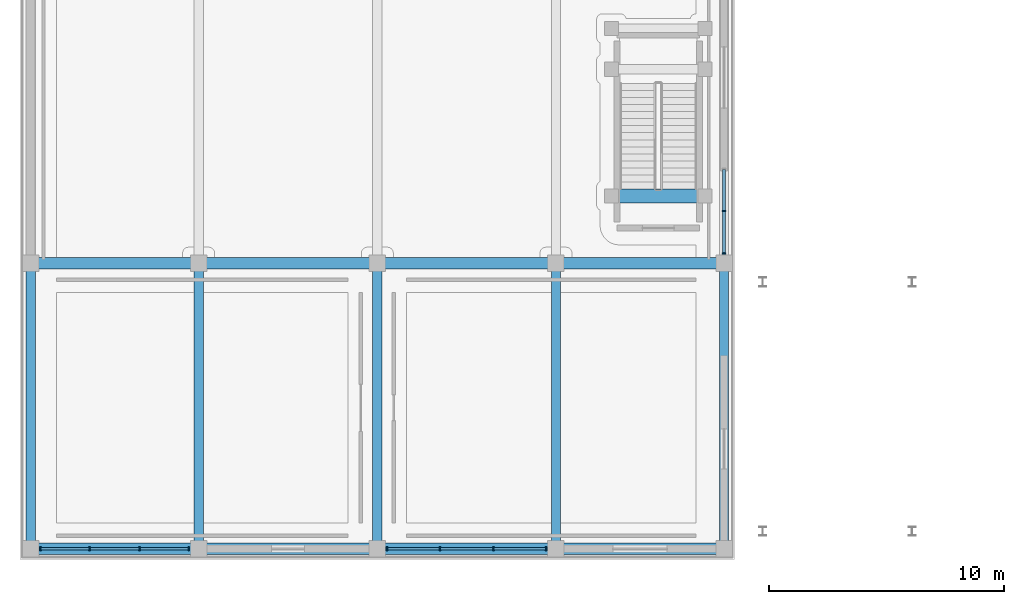
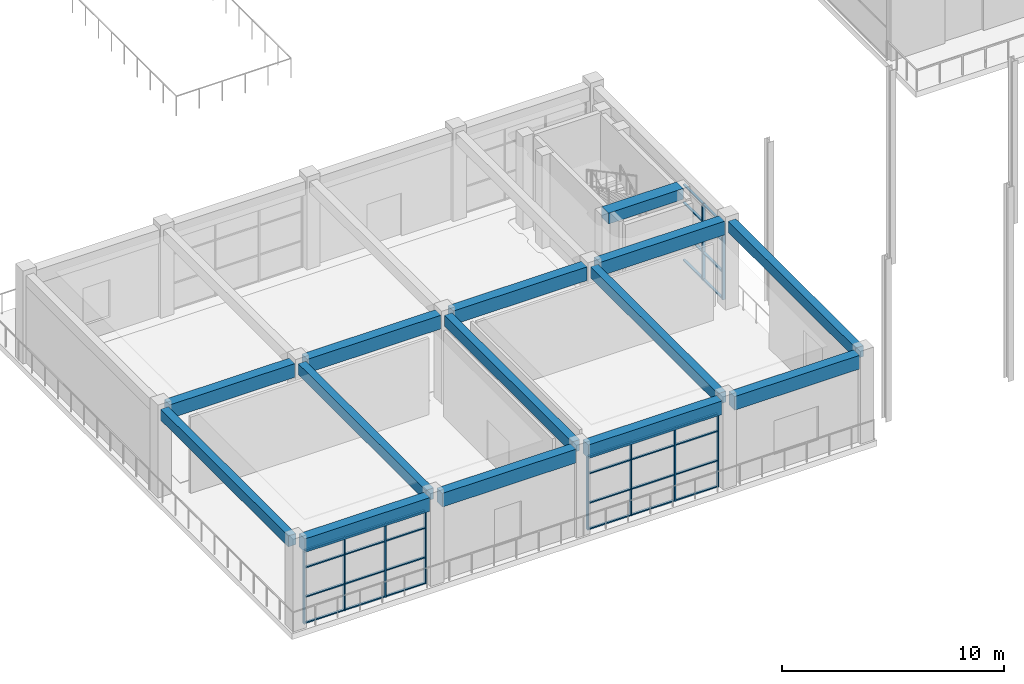
# One storey, part 19 of 99: 42 members, 14 beams, 3 elements without a shape of their own.
"""IFC4 building model written with IfcOpenShell, lengths in metres."""

from ifc_helpers import new_model, si_unit, direction, frame, origin, origin_2d, place, context, subcontext, project, spatial, rectangle, extrude, material, material_profile, profile_set, type_object, element, aggregate, save


model = new_model("IFC4")

# Units and contexts
model_context = context("Model", 3, precision=1e-05, world=origin(), true_north=direction((0.0, 1.0)))
body_context = subcontext(model_context, "Body", "Model", "MODEL_VIEW")
ifc_project = project(units=[si_unit("LENGTHUNIT", "METRE"), si_unit("AREAUNIT", "SQUARE_METRE"), si_unit("VOLUMEUNIT", "CUBIC_METRE"), si_unit("PLANEANGLEUNIT", "RADIAN"), si_unit("MASSUNIT", "GRAM", prefix="KILO")], contexts=[model_context])

# Site, building, storey
site_placement = place(None, origin())
site = spatial("IfcSite", under=ifc_project, at=site_placement, CompositionType="ELEMENT")
building_placement = place(site_placement, origin())
building = spatial("IfcBuilding", under=site, at=building_placement, Name="Saryqyr Civic Hall", CompositionType="ELEMENT")
storey_placement = place(building_placement, origin())
storey = spatial("IfcBuildingStorey", under=building, at=storey_placement, Name="L00", CompositionType="ELEMENT", Elevation=0.0)

# Curtain wall, members
ifc_material_1 = material(Name="Anodised aluminium and triple low-E glass", Category="aluminium")
curtain_wall_type_1 = type_object("IfcCurtainWallType", Name="ENV-CW-STD-59", PredefinedType="NOTDEFINED", material=ifc_material_1)
curtain_wall_1_placement = place(storey_placement, origin())
curtain_wall_1 = element("IfcCurtainWall", 1, at=curtain_wall_1_placement, inside=storey, type_object=curtain_wall_type_1, Name="Curtain wall V7W-CW-L00-0-1", PredefinedType="NOTDEFINED")
ifc_material_2 = material(Name="Anodised aluminium", Category="aluminium")
ifc_material_profile_1 = material_profile(ifc_material_2, rectangle(XDim=0.06005859375, YDim=0.159912109375, at=origin_2d()), Name="ALU MULLION 60x160")
ifc_profile_set_1 = profile_set([ifc_material_profile_1], Name="Anodised aluminium")
member_type_1 = type_object("IfcMemberType", Name="ENV-CW-MUL-180", PredefinedType="MULLION", material=ifc_profile_set_1)
member_1_placement = place(storey_placement, frame((22.3798828125, 0.449951171875, 0.0), z_axis=(0.0, 0.0, 1.0), x_axis=(-1.0, 0.0, 0.0)))
member_1 = element("IfcMember", 2, at=member_1_placement, type_object=member_type_1, Name="CW-59 mullion 1", PredefinedType="MULLION", context=body_context, shape_type="SweptSolid", body=[
    extrude(rectangle(XDim=0.06005859375, YDim=0.159912109375, at=origin_2d()), origin(), (0.0, 0.0, 1.0), 4.044921875),
])
member_2_placement = place(storey_placement, frame((20.13671875, 0.449951171875, 0.0), z_axis=(0.0, 0.0, 1.0), x_axis=(-1.0, 0.0, 0.0)))
member_2 = element("IfcMember", 3, at=member_2_placement, type_object=member_type_1, Name="CW-59 mullion 2", PredefinedType="MULLION", context=body_context, shape_type="SweptSolid", body=[
    extrude(rectangle(XDim=0.06005859375, YDim=0.159912109375, at=origin_2d()), origin(), (0.0, 0.0, 1.0), 4.044921875),
])
member_3_placement = place(storey_placement, frame((17.86328125, 0.449951171875, 0.0), z_axis=(0.0, 0.0, 1.0), x_axis=(-1.0, 0.0, 0.0)))
member_3 = element("IfcMember", 4, at=member_3_placement, type_object=member_type_1, Name="CW-59 mullion 3", PredefinedType="MULLION", context=body_context, shape_type="SweptSolid", body=[
    extrude(rectangle(XDim=0.06005859375, YDim=0.159912109375, at=origin_2d()), origin(), (0.0, 0.0, 1.0), 4.044921875),
])
member_4_placement = place(storey_placement, frame((15.6201171875, 0.449951171875, 0.0), z_axis=(0.0, 0.0, 1.0), x_axis=(-1.0, 0.0, 0.0)))
member_4 = element("IfcMember", 5, at=member_4_placement, type_object=member_type_1, Name="CW-59 mullion 4", PredefinedType="MULLION", context=body_context, shape_type="SweptSolid", body=[
    extrude(rectangle(XDim=0.06005859375, YDim=0.159912109375, at=origin_2d()), origin(), (0.0, 0.0, 1.0), 4.044921875),
])

curtain_wall_type_2 = type_object("IfcCurtainWallType", Name="ENV-CW-STD-60", PredefinedType="NOTDEFINED", material=ifc_material_1)
curtain_wall_2_placement = place(storey_placement, origin())
curtain_wall_2 = element("IfcCurtainWall", 6, at=curtain_wall_2_placement, inside=storey, type_object=curtain_wall_type_2, Name="Curtain wall V7W-CW-L00-0-3", PredefinedType="NOTDEFINED")
member_5_placement = place(storey_placement, frame((7.179931640625, 0.449951171875, 0.0), z_axis=(0.0, 0.0, 1.0), x_axis=(-1.0, 0.0, 0.0)))
member_5 = element("IfcMember", 7, at=member_5_placement, type_object=member_type_1, Name="CW-60 mullion 1", PredefinedType="MULLION", context=body_context, shape_type="SweptSolid", body=[
    extrude(rectangle(XDim=0.06005859375, YDim=0.159912109375, at=origin_2d()), origin(), (0.0, 0.0, 1.0), 4.044921875),
])
member_6_placement = place(storey_placement, frame((5.086669921875, 0.449951171875, 0.0), z_axis=(0.0, 0.0, 1.0), x_axis=(-1.0, 0.0, 0.0)))
member_6 = element("IfcMember", 8, at=member_6_placement, type_object=member_type_1, Name="CW-60 mullion 2", PredefinedType="MULLION", context=body_context, shape_type="SweptSolid", body=[
    extrude(rectangle(XDim=0.06005859375, YDim=0.159912109375, at=origin_2d()), origin(), (0.0, 0.0, 1.0), 4.044921875),
])
member_7_placement = place(storey_placement, frame((2.96337890625, 0.449951171875, 0.0), z_axis=(0.0, 0.0, 1.0), x_axis=(-1.0, 0.0, 0.0)))
member_7 = element("IfcMember", 9, at=member_7_placement, type_object=member_type_1, Name="CW-60 mullion 3", PredefinedType="MULLION", context=body_context, shape_type="SweptSolid", body=[
    extrude(rectangle(XDim=0.06005859375, YDim=0.159912109375, at=origin_2d()), origin(), (0.0, 0.0, 1.0), 4.044921875),
])
member_8_placement = place(storey_placement, frame((0.8701171875, 0.449951171875, 0.0), z_axis=(0.0, 0.0, 1.0), x_axis=(-1.0, 0.0, 0.0)))
member_8 = element("IfcMember", 10, at=member_8_placement, type_object=member_type_1, Name="CW-60 mullion 4", PredefinedType="MULLION", context=body_context, shape_type="SweptSolid", body=[
    extrude(rectangle(XDim=0.06005859375, YDim=0.159912109375, at=origin_2d()), origin(), (0.0, 0.0, 1.0), 4.044921875),
])

curtain_wall_type_3 = type_object("IfcCurtainWallType", Name="ENV-CW-STD-09", PredefinedType="NOTDEFINED", material=ifc_material_1)
curtain_wall_3_placement = place(storey_placement, origin())
curtain_wall_3 = element("IfcCurtainWall", 11, at=curtain_wall_3_placement, inside=storey, type_object=curtain_wall_type_3, Name="Curtain wall V7W-CW-L00-1-1", PredefinedType="NOTDEFINED")
member_9_placement = place(storey_placement, frame((29.949951171875, 14.820068359375, 0.0), z_axis=(0.0, 0.0, 1.0), x_axis=(0.0, -1.0, 0.0)))
member_9 = element("IfcMember", 12, at=member_9_placement, type_object=member_type_1, Name="CW-09 mullion 2", PredefinedType="MULLION", context=body_context, shape_type="SweptSolid", body=[
    extrude(rectangle(XDim=0.06005859375, YDim=0.159912109375, at=origin_2d()), origin(), (0.0, 0.0, 1.0), 4.195068359375),
])
member_10_placement = place(storey_placement, frame((29.949951171875, 13.02001953125, 0.0), z_axis=(0.0, 0.0, 1.0), x_axis=(0.0, -1.0, 0.0)))
member_10 = element("IfcMember", 13, at=member_10_placement, type_object=member_type_1, Name="CW-09 mullion 3", PredefinedType="MULLION", context=body_context, shape_type="SweptSolid", body=[
    extrude(rectangle(XDim=0.06005859375, YDim=0.159912109375, at=origin_2d()), origin(), (0.0, 0.0, 1.0), 4.195068359375),
])

# Member
ifc_material_profile_2 = material_profile(ifc_material_2, rectangle(XDim=0.1201171875, YDim=0.06005859375, at=origin_2d()), Name="ALU TRANSOM 120x60")
ifc_profile_set_2 = profile_set([ifc_material_profile_2], Name="Anodised aluminium")
member_type_2 = type_object("IfcMemberType", Name="ENV-CW-TRN-150", PredefinedType="USERDEFINED", material=ifc_profile_set_2)
member_11_placement = place(storey_placement, frame((22.35009765625, 0.449951171875, 0.030029296875), z_axis=(-1.0, 0.0, 0.0), x_axis=(0.0, -1.0, 0.0)))
member_11 = element("IfcMember", 14, at=member_11_placement, type_object=member_type_2, Name="CW-59 transom 1.1", ObjectType="TRANSOM", PredefinedType="USERDEFINED", context=body_context, shape_type="SweptSolid", body=[
    extrude(rectangle(XDim=0.1201171875, YDim=0.06005859375, at=origin_2d()), origin(), (0.0, 0.0, 1.0), 2.183349609375),
])

member_12_placement = place(storey_placement, frame((22.35009765625, 0.449951171875, 1.4560546875), z_axis=(-1.0, 0.0, 0.0), x_axis=(0.0, -1.0, 0.0)))
member_12 = element("IfcMember", 15, at=member_12_placement, type_object=member_type_2, Name="CW-59 transom 1.2", ObjectType="TRANSOM", PredefinedType="USERDEFINED", context=body_context, shape_type="SweptSolid", body=[
    extrude(rectangle(XDim=0.1201171875, YDim=0.06005859375, at=origin_2d()), origin(), (0.0, 0.0, 1.0), 2.183349609375),
])

member_13_placement = place(storey_placement, frame((22.35009765625, 0.449951171875, 3.073974609375), z_axis=(-1.0, 0.0, 0.0), x_axis=(0.0, -1.0, 0.0)))
member_13 = element("IfcMember", 16, at=member_13_placement, type_object=member_type_2, Name="CW-59 transom 1.3", ObjectType="TRANSOM", PredefinedType="USERDEFINED", context=body_context, shape_type="SweptSolid", body=[
    extrude(rectangle(XDim=0.1201171875, YDim=0.06005859375, at=origin_2d()), origin(), (0.0, 0.0, 1.0), 2.183349609375),
])

member_14_placement = place(storey_placement, frame((22.35009765625, 0.449951171875, 4.014892578125), z_axis=(-1.0, 0.0, 0.0), x_axis=(0.0, -1.0, 0.0)))
member_14 = element("IfcMember", 17, at=member_14_placement, type_object=member_type_2, Name="CW-59 transom 1.4", ObjectType="TRANSOM", PredefinedType="USERDEFINED", context=body_context, shape_type="SweptSolid", body=[
    extrude(rectangle(XDim=0.1201171875, YDim=0.06005859375, at=origin_2d()), origin(), (0.0, 0.0, 1.0), 2.183349609375),
])

member_15_placement = place(storey_placement, frame((20.106689453125, 0.449951171875, 0.030029296875), z_axis=(-1.0, 0.0, 0.0), x_axis=(0.0, -1.0, 0.0)))
member_15 = element("IfcMember", 18, at=member_15_placement, type_object=member_type_2, Name="CW-59 transom 2.1", ObjectType="TRANSOM", PredefinedType="USERDEFINED", context=body_context, shape_type="SweptSolid", body=[
    extrude(rectangle(XDim=0.1201171875, YDim=0.06005859375, at=origin_2d()), origin(), (0.0, 0.0, 1.0), 2.21337890625),
])

member_16_placement = place(storey_placement, frame((20.106689453125, 0.449951171875, 1.4560546875), z_axis=(-1.0, 0.0, 0.0), x_axis=(0.0, -1.0, 0.0)))
member_16 = element("IfcMember", 19, at=member_16_placement, type_object=member_type_2, Name="CW-59 transom 2.2", ObjectType="TRANSOM", PredefinedType="USERDEFINED", context=body_context, shape_type="SweptSolid", body=[
    extrude(rectangle(XDim=0.1201171875, YDim=0.06005859375, at=origin_2d()), origin(), (0.0, 0.0, 1.0), 2.21337890625),
])

member_17_placement = place(storey_placement, frame((20.106689453125, 0.449951171875, 3.073974609375), z_axis=(-1.0, 0.0, 0.0), x_axis=(0.0, -1.0, 0.0)))
member_17 = element("IfcMember", 20, at=member_17_placement, type_object=member_type_2, Name="CW-59 transom 2.3", ObjectType="TRANSOM", PredefinedType="USERDEFINED", context=body_context, shape_type="SweptSolid", body=[
    extrude(rectangle(XDim=0.1201171875, YDim=0.06005859375, at=origin_2d()), origin(), (0.0, 0.0, 1.0), 2.21337890625),
])

member_18_placement = place(storey_placement, frame((20.106689453125, 0.449951171875, 4.014892578125), z_axis=(-1.0, 0.0, 0.0), x_axis=(0.0, -1.0, 0.0)))
member_18 = element("IfcMember", 21, at=member_18_placement, type_object=member_type_2, Name="CW-59 transom 2.4", ObjectType="TRANSOM", PredefinedType="USERDEFINED", context=body_context, shape_type="SweptSolid", body=[
    extrude(rectangle(XDim=0.1201171875, YDim=0.06005859375, at=origin_2d()), origin(), (0.0, 0.0, 1.0), 2.21337890625),
])

member_19_placement = place(storey_placement, frame((17.833251953125, 0.449951171875, 0.030029296875), z_axis=(-1.0, 0.0, 0.0), x_axis=(0.0, -1.0, 0.0)))
member_19 = element("IfcMember", 22, at=member_19_placement, type_object=member_type_2, Name="CW-59 transom 3.1", ObjectType="TRANSOM", PredefinedType="USERDEFINED", context=body_context, shape_type="SweptSolid", body=[
    extrude(rectangle(XDim=0.1201171875, YDim=0.06005859375, at=origin_2d()), origin(), (0.0, 0.0, 1.0), 2.183349609375),
])

member_20_placement = place(storey_placement, frame((17.833251953125, 0.449951171875, 1.4560546875), z_axis=(-1.0, 0.0, 0.0), x_axis=(0.0, -1.0, 0.0)))
member_20 = element("IfcMember", 23, at=member_20_placement, type_object=member_type_2, Name="CW-59 transom 3.2", ObjectType="TRANSOM", PredefinedType="USERDEFINED", context=body_context, shape_type="SweptSolid", body=[
    extrude(rectangle(XDim=0.1201171875, YDim=0.06005859375, at=origin_2d()), origin(), (0.0, 0.0, 1.0), 2.183349609375),
])

member_21_placement = place(storey_placement, frame((17.833251953125, 0.449951171875, 3.073974609375), z_axis=(-1.0, 0.0, 0.0), x_axis=(0.0, -1.0, 0.0)))
member_21 = element("IfcMember", 24, at=member_21_placement, type_object=member_type_2, Name="CW-59 transom 3.3", ObjectType="TRANSOM", PredefinedType="USERDEFINED", context=body_context, shape_type="SweptSolid", body=[
    extrude(rectangle(XDim=0.1201171875, YDim=0.06005859375, at=origin_2d()), origin(), (0.0, 0.0, 1.0), 2.183349609375),
])

member_22_placement = place(storey_placement, frame((17.833251953125, 0.449951171875, 4.014892578125), z_axis=(-1.0, 0.0, 0.0), x_axis=(0.0, -1.0, 0.0)))
member_22 = element("IfcMember", 25, at=member_22_placement, type_object=member_type_2, Name="CW-59 transom 3.4", ObjectType="TRANSOM", PredefinedType="USERDEFINED", context=body_context, shape_type="SweptSolid", body=[
    extrude(rectangle(XDim=0.1201171875, YDim=0.06005859375, at=origin_2d()), origin(), (0.0, 0.0, 1.0), 2.183349609375),
])

aggregate(curtain_wall_1, [member_1, member_2, member_3, member_4, member_11, member_12, member_13, member_14, member_15, member_16, member_17, member_18, member_19, member_20, member_21, member_22])

member_23_placement = place(storey_placement, frame((7.14990234375, 0.449951171875, 0.030029296875), z_axis=(-1.0, 0.0, 0.0), x_axis=(0.0, -1.0, 0.0)))
member_23 = element("IfcMember", 26, at=member_23_placement, type_object=member_type_2, Name="CW-60 transom 1.1", ObjectType="TRANSOM", PredefinedType="USERDEFINED", context=body_context, shape_type="SweptSolid", body=[
    extrude(rectangle(XDim=0.1201171875, YDim=0.06005859375, at=origin_2d()), origin(), (0.0, 0.0, 1.0), 2.033203125),
])

member_24_placement = place(storey_placement, frame((7.14990234375, 0.449951171875, 1.4560546875), z_axis=(-1.0, 0.0, 0.0), x_axis=(0.0, -1.0, 0.0)))
member_24 = element("IfcMember", 27, at=member_24_placement, type_object=member_type_2, Name="CW-60 transom 1.2", ObjectType="TRANSOM", PredefinedType="USERDEFINED", context=body_context, shape_type="SweptSolid", body=[
    extrude(rectangle(XDim=0.1201171875, YDim=0.06005859375, at=origin_2d()), origin(), (0.0, 0.0, 1.0), 2.033203125),
])

member_25_placement = place(storey_placement, frame((7.14990234375, 0.449951171875, 3.073974609375), z_axis=(-1.0, 0.0, 0.0), x_axis=(0.0, -1.0, 0.0)))
member_25 = element("IfcMember", 28, at=member_25_placement, type_object=member_type_2, Name="CW-60 transom 1.3", ObjectType="TRANSOM", PredefinedType="USERDEFINED", context=body_context, shape_type="SweptSolid", body=[
    extrude(rectangle(XDim=0.1201171875, YDim=0.06005859375, at=origin_2d()), origin(), (0.0, 0.0, 1.0), 2.033203125),
])

member_26_placement = place(storey_placement, frame((7.14990234375, 0.449951171875, 4.014892578125), z_axis=(-1.0, 0.0, 0.0), x_axis=(0.0, -1.0, 0.0)))
member_26 = element("IfcMember", 29, at=member_26_placement, type_object=member_type_2, Name="CW-60 transom 1.4", ObjectType="TRANSOM", PredefinedType="USERDEFINED", context=body_context, shape_type="SweptSolid", body=[
    extrude(rectangle(XDim=0.1201171875, YDim=0.06005859375, at=origin_2d()), origin(), (0.0, 0.0, 1.0), 2.033203125),
])

member_27_placement = place(storey_placement, frame((5.056640625, 0.449951171875, 0.030029296875), z_axis=(-1.0, 0.0, 0.0), x_axis=(0.0, -1.0, 0.0)))
member_27 = element("IfcMember", 30, at=member_27_placement, type_object=member_type_2, Name="CW-60 transom 2.1", ObjectType="TRANSOM", PredefinedType="USERDEFINED", context=body_context, shape_type="SweptSolid", body=[
    extrude(rectangle(XDim=0.1201171875, YDim=0.06005859375, at=origin_2d()), origin(), (0.0, 0.0, 1.0), 2.063232421875),
])

member_28_placement = place(storey_placement, frame((5.056640625, 0.449951171875, 1.4560546875), z_axis=(-1.0, 0.0, 0.0), x_axis=(0.0, -1.0, 0.0)))
member_28 = element("IfcMember", 31, at=member_28_placement, type_object=member_type_2, Name="CW-60 transom 2.2", ObjectType="TRANSOM", PredefinedType="USERDEFINED", context=body_context, shape_type="SweptSolid", body=[
    extrude(rectangle(XDim=0.1201171875, YDim=0.06005859375, at=origin_2d()), origin(), (0.0, 0.0, 1.0), 2.063232421875),
])

member_29_placement = place(storey_placement, frame((5.056640625, 0.449951171875, 3.073974609375), z_axis=(-1.0, 0.0, 0.0), x_axis=(0.0, -1.0, 0.0)))
member_29 = element("IfcMember", 32, at=member_29_placement, type_object=member_type_2, Name="CW-60 transom 2.3", ObjectType="TRANSOM", PredefinedType="USERDEFINED", context=body_context, shape_type="SweptSolid", body=[
    extrude(rectangle(XDim=0.1201171875, YDim=0.06005859375, at=origin_2d()), origin(), (0.0, 0.0, 1.0), 2.063232421875),
])

member_30_placement = place(storey_placement, frame((5.056640625, 0.449951171875, 4.014892578125), z_axis=(-1.0, 0.0, 0.0), x_axis=(0.0, -1.0, 0.0)))
member_30 = element("IfcMember", 33, at=member_30_placement, type_object=member_type_2, Name="CW-60 transom 2.4", ObjectType="TRANSOM", PredefinedType="USERDEFINED", context=body_context, shape_type="SweptSolid", body=[
    extrude(rectangle(XDim=0.1201171875, YDim=0.06005859375, at=origin_2d()), origin(), (0.0, 0.0, 1.0), 2.063232421875),
])

member_31_placement = place(storey_placement, frame((2.933349609375, 0.449951171875, 0.030029296875), z_axis=(-1.0, 0.0, 0.0), x_axis=(0.0, -1.0, 0.0)))
member_31 = element("IfcMember", 34, at=member_31_placement, type_object=member_type_2, Name="CW-60 transom 3.1", ObjectType="TRANSOM", PredefinedType="USERDEFINED", context=body_context, shape_type="SweptSolid", body=[
    extrude(rectangle(XDim=0.1201171875, YDim=0.06005859375, at=origin_2d()), origin(), (0.0, 0.0, 1.0), 2.033447265625),
])

member_32_placement = place(storey_placement, frame((2.933349609375, 0.449951171875, 1.4560546875), z_axis=(-1.0, 0.0, 0.0), x_axis=(0.0, -1.0, 0.0)))
member_32 = element("IfcMember", 35, at=member_32_placement, type_object=member_type_2, Name="CW-60 transom 3.2", ObjectType="TRANSOM", PredefinedType="USERDEFINED", context=body_context, shape_type="SweptSolid", body=[
    extrude(rectangle(XDim=0.1201171875, YDim=0.06005859375, at=origin_2d()), origin(), (0.0, 0.0, 1.0), 2.033447265625),
])

member_33_placement = place(storey_placement, frame((2.933349609375, 0.449951171875, 3.073974609375), z_axis=(-1.0, 0.0, 0.0), x_axis=(0.0, -1.0, 0.0)))
member_33 = element("IfcMember", 36, at=member_33_placement, type_object=member_type_2, Name="CW-60 transom 3.3", ObjectType="TRANSOM", PredefinedType="USERDEFINED", context=body_context, shape_type="SweptSolid", body=[
    extrude(rectangle(XDim=0.1201171875, YDim=0.06005859375, at=origin_2d()), origin(), (0.0, 0.0, 1.0), 2.033447265625),
])

member_34_placement = place(storey_placement, frame((2.933349609375, 0.449951171875, 4.014892578125), z_axis=(-1.0, 0.0, 0.0), x_axis=(0.0, -1.0, 0.0)))
member_34 = element("IfcMember", 37, at=member_34_placement, type_object=member_type_2, Name="CW-60 transom 3.4", ObjectType="TRANSOM", PredefinedType="USERDEFINED", context=body_context, shape_type="SweptSolid", body=[
    extrude(rectangle(XDim=0.1201171875, YDim=0.06005859375, at=origin_2d()), origin(), (0.0, 0.0, 1.0), 2.033447265625),
])

aggregate(curtain_wall_2, [member_5, member_6, member_7, member_8, member_23, member_24, member_25, member_26, member_27, member_28, member_29, member_30, member_31, member_32, member_33, member_34])

member_35_placement = place(storey_placement, frame((29.949951171875, 16.590087890625, 0.030029296875), z_axis=(0.0, -1.0, 0.0), x_axis=(1.0, 0.0, 0.0)))
member_35 = element("IfcMember", 38, at=member_35_placement, type_object=member_type_2, Name="CW-09 transom 1.1", ObjectType="TRANSOM", PredefinedType="USERDEFINED", context=body_context, shape_type="SweptSolid", body=[
    extrude(rectangle(XDim=0.1201171875, YDim=0.06005859375, at=origin_2d()), origin(), (0.0, 0.0, 1.0), 1.739990234375),
])

member_36_placement = place(storey_placement, frame((29.949951171875, 16.590087890625, 1.510009765625), z_axis=(0.0, -1.0, 0.0), x_axis=(1.0, 0.0, 0.0)))
member_36 = element("IfcMember", 39, at=member_36_placement, type_object=member_type_2, Name="CW-09 transom 1.2", ObjectType="TRANSOM", PredefinedType="USERDEFINED", context=body_context, shape_type="SweptSolid", body=[
    extrude(rectangle(XDim=0.1201171875, YDim=0.06005859375, at=origin_2d()), origin(), (0.0, 0.0, 1.0), 1.739990234375),
])

member_37_placement = place(storey_placement, frame((29.949951171875, 16.590087890625, 3.18798828125), z_axis=(0.0, -1.0, 0.0), x_axis=(1.0, 0.0, 0.0)))
member_37 = element("IfcMember", 40, at=member_37_placement, type_object=member_type_2, Name="CW-09 transom 1.3", ObjectType="TRANSOM", PredefinedType="USERDEFINED", context=body_context, shape_type="SweptSolid", body=[
    extrude(rectangle(XDim=0.1201171875, YDim=0.06005859375, at=origin_2d()), origin(), (0.0, 0.0, 1.0), 1.739990234375),
])

member_38_placement = place(storey_placement, frame((29.949951171875, 16.590087890625, 4.1650390625), z_axis=(0.0, -1.0, 0.0), x_axis=(1.0, 0.0, 0.0)))
member_38 = element("IfcMember", 41, at=member_38_placement, type_object=member_type_2, Name="CW-09 transom 1.4", ObjectType="TRANSOM", PredefinedType="USERDEFINED", context=body_context, shape_type="SweptSolid", body=[
    extrude(rectangle(XDim=0.1201171875, YDim=0.06005859375, at=origin_2d()), origin(), (0.0, 0.0, 1.0), 1.739990234375),
])

member_39_placement = place(storey_placement, frame((29.949951171875, 14.7900390625, 0.030029296875), z_axis=(0.0, -1.0, 0.0), x_axis=(1.0, 0.0, 0.0)))
member_39 = element("IfcMember", 42, at=member_39_placement, type_object=member_type_2, Name="CW-09 transom 2.1", ObjectType="TRANSOM", PredefinedType="USERDEFINED", context=body_context, shape_type="SweptSolid", body=[
    extrude(rectangle(XDim=0.1201171875, YDim=0.06005859375, at=origin_2d()), origin(), (0.0, 0.0, 1.0), 1.739990234375),
])

member_40_placement = place(storey_placement, frame((29.949951171875, 14.7900390625, 1.510009765625), z_axis=(0.0, -1.0, 0.0), x_axis=(1.0, 0.0, 0.0)))
member_40 = element("IfcMember", 43, at=member_40_placement, type_object=member_type_2, Name="CW-09 transom 2.2", ObjectType="TRANSOM", PredefinedType="USERDEFINED", context=body_context, shape_type="SweptSolid", body=[
    extrude(rectangle(XDim=0.1201171875, YDim=0.06005859375, at=origin_2d()), origin(), (0.0, 0.0, 1.0), 1.739990234375),
])

member_41_placement = place(storey_placement, frame((29.949951171875, 14.7900390625, 3.18798828125), z_axis=(0.0, -1.0, 0.0), x_axis=(1.0, 0.0, 0.0)))
member_41 = element("IfcMember", 44, at=member_41_placement, type_object=member_type_2, Name="CW-09 transom 2.3", ObjectType="TRANSOM", PredefinedType="USERDEFINED", context=body_context, shape_type="SweptSolid", body=[
    extrude(rectangle(XDim=0.1201171875, YDim=0.06005859375, at=origin_2d()), origin(), (0.0, 0.0, 1.0), 1.739990234375),
])

member_42_placement = place(storey_placement, frame((29.949951171875, 14.7900390625, 4.1650390625), z_axis=(0.0, -1.0, 0.0), x_axis=(1.0, 0.0, 0.0)))
member_42 = element("IfcMember", 45, at=member_42_placement, type_object=member_type_2, Name="CW-09 transom 2.4", ObjectType="TRANSOM", PredefinedType="USERDEFINED", context=body_context, shape_type="SweptSolid", body=[
    extrude(rectangle(XDim=0.1201171875, YDim=0.06005859375, at=origin_2d()), origin(), (0.0, 0.0, 1.0), 1.739990234375),
])

aggregate(curtain_wall_3, [member_9, member_10, member_35, member_36, member_37, member_38, member_39, member_40, member_41, member_42])

# Beams
ifc_material_3 = material(Name="Concrete C35/45", Category="concrete")
ifc_material_profile_3 = material_profile(ifc_material_3, rectangle(XDim=0.39990234375, YDim=0.60009765625, at=origin_2d()), Name="RC 400x600")
ifc_profile_set_3 = profile_set([ifc_material_profile_3], Name="Concrete C35/45")
beam_type_1 = type_object("IfcBeamType", Name="STR-BM-RC400x600", PredefinedType="BEAM", material=ifc_profile_set_3)
for number, where, z_axis, x_axis, name in (
    (46, (0.449951171875, 0.77490234375, 4.52001953125), (0.0, 1.0, 0.0), (-1.0, 0.0, 0.0), "Beam V7W-BM-NS11-L00"),
    (47, (7.60009765625, 0.77490234375, 4.52001953125), (0.0, 1.0, 0.0), (-1.0, 0.0, 0.0), "Beam V7W-BM-NS21-L00"),
    (48, (15.199951171875, 0.77490234375, 4.52001953125), (0.0, 1.0, 0.0), (-1.0, 0.0, 0.0), "Beam V7W-BM-NS31-L00"),
    (49, (22.800048828125, 0.77490234375, 4.52001953125), (0.0, 1.0, 0.0), (-1.0, 0.0, 0.0), "Beam V7W-BM-NS41-L00"),
    (50, (29.949951171875, 0.77490234375, 4.52001953125), (0.0, 1.0, 0.0), (-1.0, 0.0, 0.0), "Beam V7W-BM-NS51-L00"),
):
    element("IfcBeam", number, at=place(storey_placement, frame(where, z_axis=z_axis, x_axis=x_axis)), inside=storey, type_object=beam_type_1, Name=name, PredefinedType="BEAM", context=body_context, shape_type="SweptSolid", body=[
        extrude(rectangle(XDim=0.39990234375, YDim=0.60009765625, at=origin_2d()), origin(), (0.0, 0.0, 1.0), 11.5),
    ])
ifc_material_4 = material(Name="Concrete C40/50", Category="concrete")
ifc_material_profile_4 = material_profile(ifc_material_4, rectangle(XDim=0.5, YDim=0.75, at=origin_2d()), Name="RC 500x750")
ifc_profile_set_4 = profile_set([ifc_material_profile_4], Name="Concrete C40/50")
beam_type_2 = type_object("IfcBeamType", Name="STR-BM-RC500x750", PredefinedType="BEAM", material=ifc_profile_set_4)
beam_1_placement = place(storey_placement, frame((0.77490234375, 0.449951171875, 4.445068359375), z_axis=(1.0, 0.0, 0.0), x_axis=(0.0, 1.0, 0.0)))
element("IfcBeam", 51, at=beam_1_placement, inside=storey, type_object=beam_type_2, Name="Beam V7W-BM-EW11-L00", PredefinedType="BEAM", context=body_context, shape_type="SweptSolid", body=[
    extrude(rectangle(XDim=0.5, YDim=0.75, at=origin_2d()), origin(), (0.0, 0.0, 1.0), 6.5),
])
beam_2_placement = place(storey_placement, frame((7.925048828125, 0.449951171875, 4.445068359375), z_axis=(1.0, 0.0, 0.0), x_axis=(0.0, 1.0, 0.0)))
element("IfcBeam", 52, at=beam_2_placement, inside=storey, type_object=beam_type_2, Name="Beam V7W-BM-EW12-L00", PredefinedType="BEAM", context=body_context, shape_type="SweptSolid", body=[
    extrude(rectangle(XDim=0.5, YDim=0.75, at=origin_2d()), origin(), (0.0, 0.0, 1.0), 6.949951171875),
])
beam_3_placement = place(storey_placement, frame((15.52490234375, 0.449951171875, 4.445068359375), z_axis=(1.0, 0.0, 0.0), x_axis=(0.0, 1.0, 0.0)))
element("IfcBeam", 53, at=beam_3_placement, inside=storey, type_object=beam_type_2, Name="Beam V7W-BM-EW13-L00", PredefinedType="BEAM", context=body_context, shape_type="SweptSolid", body=[
    extrude(rectangle(XDim=0.5, YDim=0.75, at=origin_2d()), origin(), (0.0, 0.0, 1.0), 6.9501953125),
])
for number, where, z_axis, x_axis, name in (
    (54, (23.125, 0.449951171875, 4.445068359375), (1.0, 0.0, 0.0), (0.0, 1.0, 0.0), "Beam V7W-BM-EW14-L00"),
    (55, (0.77490234375, 12.60009765625, 4.445068359375), (1.0, 0.0, 0.0), (0.0, 1.0, 0.0), "Beam V7W-BM-EW21-L00"),
):
    element("IfcBeam", number, at=place(storey_placement, frame(where, z_axis=z_axis, x_axis=x_axis)), inside=storey, type_object=beam_type_2, Name=name, PredefinedType="BEAM", context=body_context, shape_type="SweptSolid", body=[
        extrude(rectangle(XDim=0.5, YDim=0.75, at=origin_2d()), origin(), (0.0, 0.0, 1.0), 6.5),
    ])
beam_4_placement = place(storey_placement, frame((7.925048828125, 12.60009765625, 4.445068359375), z_axis=(1.0, 0.0, 0.0), x_axis=(0.0, 1.0, 0.0)))
element("IfcBeam", 56, at=beam_4_placement, inside=storey, type_object=beam_type_2, Name="Beam V7W-BM-EW22-L00", PredefinedType="BEAM", context=body_context, shape_type="SweptSolid", body=[
    extrude(rectangle(XDim=0.5, YDim=0.75, at=origin_2d()), origin(), (0.0, 0.0, 1.0), 6.949951171875),
])
beam_5_placement = place(storey_placement, frame((15.52490234375, 12.60009765625, 4.445068359375), z_axis=(1.0, 0.0, 0.0), x_axis=(0.0, 1.0, 0.0)))
element("IfcBeam", 57, at=beam_5_placement, inside=storey, type_object=beam_type_2, Name="Beam V7W-BM-EW23-L00", PredefinedType="BEAM", context=body_context, shape_type="SweptSolid", body=[
    extrude(rectangle(XDim=0.5, YDim=0.75, at=origin_2d()), origin(), (0.0, 0.0, 1.0), 6.9501953125),
])
beam_6_placement = place(storey_placement, frame((23.125, 12.60009765625, 4.445068359375), z_axis=(1.0, 0.0, 0.0), x_axis=(0.0, 1.0, 0.0)))
element("IfcBeam", 58, at=beam_6_placement, inside=storey, type_object=beam_type_2, Name="Beam V7W-BM-EW24-L00", PredefinedType="BEAM", context=body_context, shape_type="SweptSolid", body=[
    extrude(rectangle(XDim=0.5, YDim=0.75, at=origin_2d()), origin(), (0.0, 0.0, 1.0), 6.5),
])
ifc_material_profile_5 = material_profile(ifc_material_4, rectangle(XDim=0.60009765625, YDim=0.60009765625, at=origin_2d()), Name="RC 600x600")
ifc_profile_set_5 = profile_set([ifc_material_profile_5], Name="Concrete C40/50")
beam_type_3 = type_object("IfcBeamType", Name="STR-BM-RC600x600", PredefinedType="BEAM", material=ifc_profile_set_5)
beam_7_placement = place(storey_placement, frame((29.10009765625, 15.465087890625, 4.800048828125), z_axis=(-1.0, 0.0, 0.0), x_axis=(0.0, -1.0, 0.0)))
element("IfcBeam", 59, at=beam_7_placement, inside=storey, type_object=beam_type_3, Name="Stair well trimmer beam ST-7-L01", PredefinedType="BEAM", context=body_context, shape_type="SweptSolid", body=[
    extrude(rectangle(XDim=0.60009765625, YDim=0.60009765625, at=origin_2d()), origin(), (0.0, 0.0, 1.0), 3.900146484375),
])

save(model, "model.ifc")
